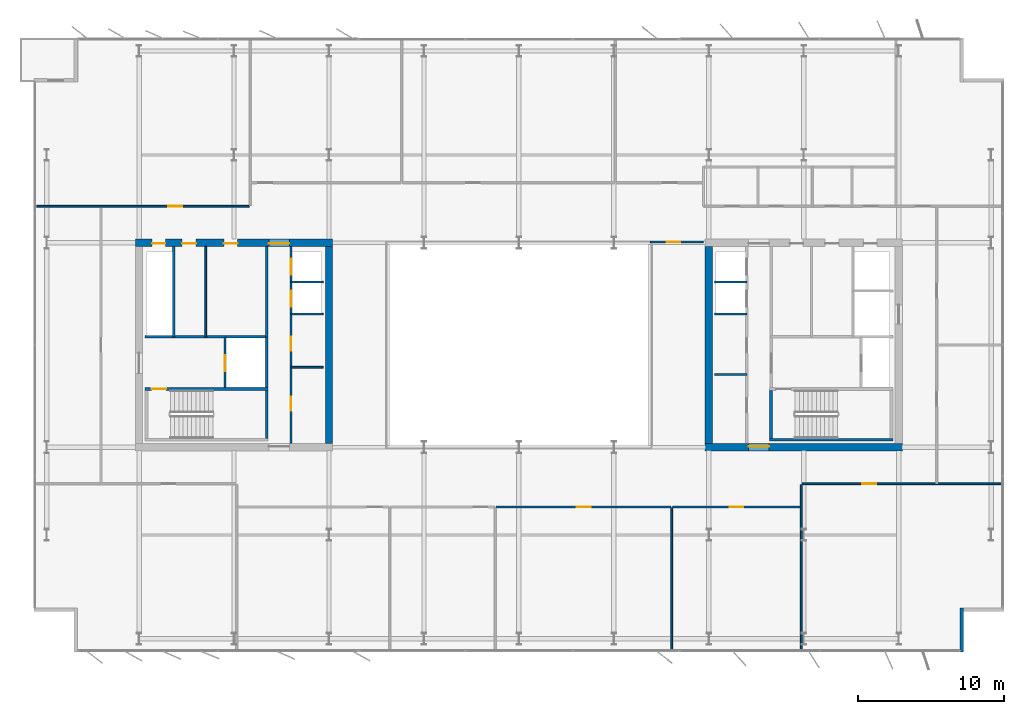
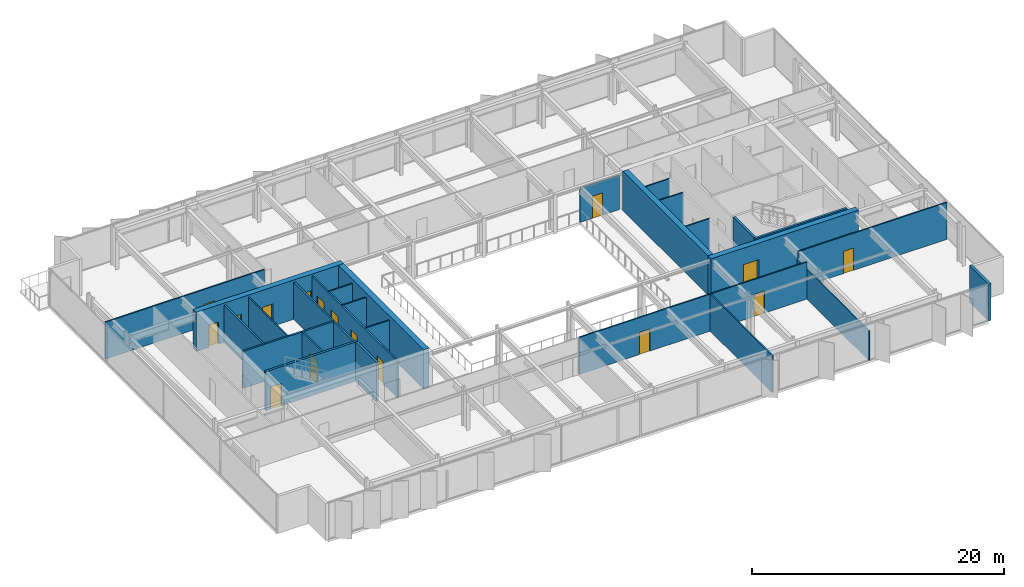
# One storey, part 17 of 23: 29 walls, 16 doors, 16 openings.
"""IFC4 building model written with IfcOpenShell, lengths in metres."""

import ifcopenshell
import ifcopenshell.guid

model = None  # the IFC model being written
_history = None  # IfcOwnerHistory: only IFC2X3 demands one
_inside = {}  # id of a spatial element -> (the spatial element, [elements in it])
_under = {}  # id of a project, library or spatial element -> (it, [spatial elements below it])
_declared = {}  # id of a project -> (the project, [libraries it declares])
_typed = {}  # id of a type object -> (the type object, [elements of that type])
_made_of = {}  # id of a material, layer set ... -> (it, [elements and type objects made of it])


def new_model(schema):
    """Start an empty IFC model of exactly this schema.

    Asked for "IFC4X3", IfcOpenShell would pick the latest addendum, in which some entities
    have other attributes; the version numbers below select the first issue.
    IFC2X3 requires an IfcOwnerHistory on every rooted entity: one is made here for all.
    """
    global model, _history
    if schema == "IFC4X3":
        model = ifcopenshell.file(schema_version=(4, 3, 0, 0))
    else:
        model = ifcopenshell.file(schema=schema)
    _inside.clear()
    _under.clear()
    _declared.clear()
    _typed.clear()
    _made_of.clear()
    _history = None
    if model.schema == "IFC2X3":
        org = make("IfcOrganization", Name="unknown")
        user = make(
            "IfcPersonAndOrganization",
            ThePerson=make("IfcPerson", FamilyName="unknown"),
            TheOrganization=org,
        )
        app = make(
            "IfcApplication",
            ApplicationDeveloper=org,
            Version="unknown",
            ApplicationFullName="unknown",
            ApplicationIdentifier="unknown",
        )
        _history = make(
            "IfcOwnerHistory",
            OwningUser=user,
            OwningApplication=app,
            ChangeAction="ADDED",
            CreationDate=0,
        )
    return model


def make(cls, **values):
    """One entity of the class cls with the attributes given. An attribute that is None is left unset."""
    return model.create_entity(
        cls, **{name: value for name, value in values.items() if value is not None}
    )


def rooted(cls, **values):
    """An entity with a GlobalId (a new one), such as an element, a storey or a relation."""
    return make(cls, GlobalId=ifcopenshell.guid.new(), OwnerHistory=_history, **values)


def si_unit(unit_type, name, prefix=None):
    """IfcSIUnit, for example si_unit("LENGTHUNIT", "METRE", prefix="MILLI")."""
    return make("IfcSIUnit", UnitType=unit_type, Prefix=prefix, Name=name)


def assignment(units):
    """IfcUnitAssignment: the units of a project."""
    return None if units is None else make("IfcUnitAssignment", Units=units)


def point(xyz):
    """IfcCartesianPoint."""
    return None if xyz is None else make("IfcCartesianPoint", Coordinates=xyz)


def direction(xyz):
    """IfcDirection."""
    return None if xyz is None else make("IfcDirection", DirectionRatios=xyz)


def frame(location, z_axis=None, x_axis=None):
    """IfcAxis2Placement3D, a coordinate frame: its origin and axes. An axis left out is left unset."""
    return make(
        "IfcAxis2Placement3D",
        Location=point(location),
        Axis=direction(z_axis),
        RefDirection=direction(x_axis),
    )


def frame_2d(location, x_axis=None):
    """IfcAxis2Placement2D, a coordinate frame in the plane: its origin and x axis."""
    return make(
        "IfcAxis2Placement2D", Location=point(location), RefDirection=direction(x_axis)
    )


def origin():
    """The frame at (0, 0, 0) with its axes left unset."""
    return frame((0.0, 0.0, 0.0))


def place(relative_to, where):
    """IfcLocalPlacement: puts the frame where relative to a parent placement (None: the world)."""
    return make(
        "IfcLocalPlacement", PlacementRelTo=relative_to, RelativePlacement=where
    )


def context(
    kind, dimensions, precision=None, world=None, true_north=None, identifier=None
):
    """IfcGeometricRepresentationContext, for example the 3D "Model" context."""
    return make(
        "IfcGeometricRepresentationContext",
        ContextIdentifier=identifier,
        ContextType=kind,
        CoordinateSpaceDimension=dimensions,
        Precision=precision,
        WorldCoordinateSystem=world,
        TrueNorth=true_north,
    )


def subcontext(parent, identifier, kind, view, scale=None):
    """IfcGeometricRepresentationSubContext, for example "Body" below "Model"."""
    return make(
        "IfcGeometricRepresentationSubContext",
        ContextIdentifier=identifier,
        ContextType=kind,
        ParentContext=parent,
        TargetScale=scale,
        TargetView=view,
    )


def project(units=None, contexts=None):
    """IfcProject with its units and contexts."""
    return rooted(
        "IfcProject",
        Name="project",
        RepresentationContexts=contexts,
        UnitsInContext=assignment(units),
    )


def spatial(cls, under=None, at=None, **own):
    """A site, building, storey or space (cls), placed at a placement, below another one or the project."""
    s = rooted(cls, ObjectPlacement=at, **own)
    if under is not None:
        _under.setdefault(under.id(), (under, []))[1].append(s)
    return s


def profile(cls, at=None, kind="AREA", **sizes):
    """A parametric profile (cls). Its sizes go by their IFC names, for example OverallWidth=200.0."""
    return make(cls, ProfileType=kind, Position=at, **sizes)


def rectangle(**sizes):
    """IfcRectangleProfileDef."""
    return profile("IfcRectangleProfileDef", **sizes)


def extrude(swept, where, along, depth):
    """IfcExtrudedAreaSolid: the profile swept, set in the frame where, extruded along a direction by depth."""
    return make(
        "IfcExtrudedAreaSolid",
        SweptArea=swept,
        Position=where,
        ExtrudedDirection=direction(along),
        Depth=depth,
    )


def shape(context_of_items, identifier, shape_type, items):
    """IfcShapeRepresentation: the items that make up one representation, for example the "Body"."""
    return make(
        "IfcShapeRepresentation",
        ContextOfItems=context_of_items,
        RepresentationIdentifier=identifier,
        RepresentationType=shape_type,
        Items=items,
    )


def material(Name=None, Category=None):
    """IfcMaterial."""
    return make("IfcMaterial", Name=Name, Category=Category)


def layer(
    of_material, thickness, ventilated=None, Name=None, Category=None, Priority=None
):
    """IfcMaterialLayer: one layer of a wall or slab, of a material (None: an air gap)."""
    return make(
        "IfcMaterialLayer",
        Material=of_material,
        LayerThickness=thickness,
        IsVentilated=ventilated,
        Name=Name,
        Category=Category,
        Priority=Priority,
    )


def layer_set(layers, Name=None):
    """IfcMaterialLayerSet."""
    return make("IfcMaterialLayerSet", MaterialLayers=layers, LayerSetName=Name)


def made_of(thing, what):
    """Note that an element or type object is made of a material, layer set ...; save() writes the relation."""
    if what is not None:
        _made_of.setdefault(what.id(), (what, []))[1].append(thing)
    return thing


def type_object(cls, material=None, **own):
    """A type object (cls), such as IfcWallType, which elements share."""
    return made_of(rooted(cls, **own), material)


def element(
    cls,
    number,
    at=None,
    inside=None,
    cuts=None,
    type_object=None,
    material=None,
    context=None,
    identifier="Body",
    shape_type=None,
    held_by="IfcProductDefinitionShape",
    body=None,
    shapes=None,
    **own,
):
    """One element of the class cls, such as IfcWall. Its Tag is "e" and its number.

    at: its placement. inside: the storey or other place that contains it. cuts: it is an
    opening in that element (IfcRelVoidsElement). A single representation is given by context,
    identifier, shape_type and body (its items); several are given by shapes. held_by: the class
    of the entity that holds the representations. save() writes the other relations.
    """
    e = rooted(cls, Tag="e%d" % number, ObjectPlacement=at, **own)
    if body is not None:
        shapes = [shape(context, identifier, shape_type, body)]
    if shapes is not None:
        e.Representation = make(held_by, Representations=shapes)
    if inside is not None:
        _inside.setdefault(inside.id(), (inside, []))[1].append(e)
    if cuts is not None:
        rooted(
            "IfcRelVoidsElement", RelatingBuildingElement=cuts, RelatedOpeningElement=e
        )
    if type_object is not None:
        _typed.setdefault(type_object.id(), (type_object, []))[1].append(e)
    return made_of(e, material)


def fill(opening, filler):
    """IfcRelFillsElement: the door or window that sits in an opening."""
    return rooted(
        "IfcRelFillsElement",
        RelatingOpeningElement=opening,
        RelatedBuildingElement=filler,
    )


def aggregate(whole, parts):
    """IfcRelAggregates: a whole, such as a stair, and the parts it consists of."""
    return rooted("IfcRelAggregates", RelatingObject=whole, RelatedObjects=parts)


def save(model, path):
    """Write the relations noted so far, then the file.

    IfcRelAggregates (storeys below a building ...), IfcRelContainedInSpatialStructure (elements
    in a storey), IfcRelDefinesByType, IfcRelAssociatesMaterial and IfcRelDeclares: one each for
    every whole, place, type object, material and project.
    """
    for whole, parts in _under.values():
        aggregate(whole, parts)
    for where, things in _inside.values():
        rooted(
            "IfcRelContainedInSpatialStructure",
            RelatedElements=things,
            RelatingStructure=where,
        )
    for kind, things in _typed.values():
        rooted("IfcRelDefinesByType", RelatedObjects=things, RelatingType=kind)
    for what, things in _made_of.values():
        rooted("IfcRelAssociatesMaterial", RelatedObjects=things, RelatingMaterial=what)
    for by, libraries in _declared.values():
        rooted("IfcRelDeclares", RelatingContext=by, RelatedDefinitions=libraries)
    model.write(path)


model = new_model("IFC4")

# Units and contexts
model_context = context("Model", 3, precision=1e-05, world=origin(), true_north=direction((0.0, 1.0)))
body_context = subcontext(model_context, "Body", "Model", "MODEL_VIEW")
ifc_project = project(units=[si_unit("LENGTHUNIT", "METRE"), si_unit("AREAUNIT", "SQUARE_METRE"), si_unit("VOLUMEUNIT", "CUBIC_METRE"), si_unit("PLANEANGLEUNIT", "RADIAN"), si_unit("MASSUNIT", "GRAM", prefix="KILO")], contexts=[model_context])

# Site, building, storey
site_placement = place(None, origin())
site = spatial("IfcSite", under=ifc_project, at=site_placement, CompositionType="ELEMENT")
building_placement = place(site_placement, origin())
building = spatial("IfcBuilding", under=site, at=building_placement, Name="Putna Gate Headquarters", CompositionType="ELEMENT")
storey_placement = place(building_placement, frame((0.0, 0.0, 210.0)))
storey = spatial("IfcBuildingStorey", under=building, at=storey_placement, Name="L52", CompositionType="ELEMENT", Elevation=210.0)

# Wall, openings, doors
ifc_material_1 = material(Name="Concrete C50/60", Category="concrete")
ifc_layer_1 = layer(ifc_material_1, 0.5)
ifc_layer_set_1 = layer_set([ifc_layer_1], Name="Concrete C50/60")
wall_type_1 = type_object("IfcWallType", Name="WALL-CORE-500", PredefinedType="SHEAR", material=ifc_layer_set_1)
wall_1_placement = place(storey_placement, frame((12.75, 33.0, 0.0), z_axis=(0.0, 0.0, 1.0), x_axis=(1.0, 0.0, 0.0)))
wall_1 = element("IfcWall", 1, at=wall_1_placement, inside=storey, type_object=wall_type_1, Name="L52 WC Split Core Shear Wall N", PredefinedType="SHEAR", context=body_context, shape_type="SweptSolid", body=[
    extrude(rectangle(XDim=13.5, YDim=0.5, at=frame_2d((6.75, 0.0))), origin(), (0.0, 0.0, 1.0), 3.800048828125),
])
opening_1_placement = place(wall_1_placement, frame((1.14990234375, 0.0, 0.0)))
opening_1 = element("IfcOpeningElement", 2, at=opening_1_placement, cuts=wall_1, Name="Opening RD-90", PredefinedType="OPENING", context=body_context, shape_type="SweptSolid", body=[
    extrude(rectangle(XDim=0.89990234375, YDim=2.14990234375, at=frame_2d((0.449951171875, 1.074951171875))), frame((0.0, 0.260009765625, 0.0), z_axis=(0.0, -1.0, 0.0), x_axis=(1.0, 0.0, 0.0)), (0.0, 0.0, 1.0), 0.52001953125),
])
opening_2_placement = place(wall_1_placement, frame((3.199951171875, 0.0, 0.0)))
opening_2 = element("IfcOpeningElement", 3, at=opening_2_placement, cuts=wall_1, Name="Opening IDS-95", PredefinedType="OPENING", context=body_context, shape_type="SweptSolid", body=[
    extrude(rectangle(XDim=0.949951171875, YDim=2.14990234375, at=frame_2d((0.47509765625, 1.074951171875))), frame((0.0, 0.260009765625, 0.0), z_axis=(0.0, -1.0, 0.0), x_axis=(1.0, 0.0, 0.0)), (0.0, 0.0, 1.0), 0.52001953125),
])
opening_3_placement = place(wall_1_placement, frame((6.050048828125, 0.0, 0.0)))
opening_3 = element("IfcOpeningElement", 4, at=opening_3_placement, cuts=wall_1, Name="Opening IDS-95", PredefinedType="OPENING", context=body_context, shape_type="SweptSolid", body=[
    extrude(rectangle(XDim=0.949951171875, YDim=2.14990234375, at=frame_2d((0.47509765625, 1.074951171875))), frame((0.0, 0.260009765625, 0.0), z_axis=(0.0, -1.0, 0.0), x_axis=(1.0, 0.0, 0.0)), (0.0, 0.0, 1.0), 0.52001953125),
])
opening_4_placement = place(wall_1_placement, frame((9.1298828125, 0.0, 0.0)))
opening_4 = element("IfcOpeningElement", 5, at=opening_4_placement, cuts=wall_1, Name="Opening FDD-140", PredefinedType="OPENING", context=body_context, shape_type="SweptSolid", body=[
    extrude(rectangle(XDim=1.39990234375, YDim=2.199951171875, at=frame_2d((0.699951171875, 1.10009765625))), frame((0.0, 0.260009765625, 0.0), z_axis=(0.0, -1.0, 0.0), x_axis=(1.0, 0.0, 0.0)), (0.0, 0.0, 1.0), 0.52001953125),
])
ifc_material_2 = material(Name="Double steel fire door", Category="steel")
door_type_1 = type_object("IfcDoorType", Name="DOOR-FIRE-DBL-1400", OperationType="DOUBLE_DOOR_SINGLE_SWING", PredefinedType="DOOR", material=ifc_material_2)
door_1_placement = place(opening_4_placement, origin())
door_1 = element("IfcDoor", 6, at=door_1_placement, inside=storey, type_object=door_type_1, Name="L52 West Lift Lobby North Door", OperationType="DOUBLE_DOOR_SINGLE_SWING", OverallHeight=2.199951171875, OverallWidth=1.39990234375, PredefinedType="DOOR", context=body_context, shape_type="SweptSolid", body=[
    extrude(rectangle(XDim=1.39990234375, YDim=2.199951171875, at=frame_2d((0.699951171875, 1.10009765625))), frame((0.0, -0.02490234375, 0.0), z_axis=(0.0, -1.0, 0.0), x_axis=(1.0, 0.0, 0.0)), (0.0, 0.0, 1.0), 0.050048828125),
])
fill(opening_4, door_1)
ifc_material_3 = material(Name="Fire-rated service timber door", Category="wood")
door_type_2 = type_object("IfcDoorType", Name="DOOR-INT-950", OperationType="NOTDEFINED", PredefinedType="DOOR", material=ifc_material_3)
door_2_placement = place(opening_2_placement, origin())
door_2 = element("IfcDoor", 7, at=door_2_placement, inside=storey, type_object=door_type_2, Name="L52 Archive Store Door", OperationType="SINGLE_SWING_LEFT", OverallHeight=2.14990234375, OverallWidth=0.949951171875, PredefinedType="DOOR", context=body_context, shape_type="SweptSolid", body=[
    extrude(rectangle(XDim=0.949951171875, YDim=2.14990234375, at=frame_2d((0.47509765625, 1.074951171875))), frame((0.0, -0.02490234375, 0.0), z_axis=(0.0, -1.0, 0.0), x_axis=(1.0, 0.0, 0.0)), (0.0, 0.0, 1.0), 0.050048828125),
])
fill(opening_2, door_2)
door_3_placement = place(opening_3_placement, origin())
door_3 = element("IfcDoor", 8, at=door_3_placement, inside=storey, type_object=door_type_2, Name="L52 Switchgear Plant Door", OperationType="SINGLE_SWING_RIGHT", OverallHeight=2.14990234375, OverallWidth=0.949951171875, PredefinedType="DOOR", context=body_context, shape_type="SweptSolid", body=[
    extrude(rectangle(XDim=0.949951171875, YDim=2.14990234375, at=frame_2d((0.47509765625, 1.074951171875))), frame((0.0, -0.02490234375, 0.0), z_axis=(0.0, -1.0, 0.0), x_axis=(1.0, 0.0, 0.0)), (0.0, 0.0, 1.0), 0.050048828125),
])
fill(opening_3, door_3)
ifc_material_4 = material(Name="Steel riser access fire door", Category="steel")
door_type_3 = type_object("IfcDoorType", Name="DOOR-RISER-900", OperationType="NOTDEFINED", PredefinedType="DOOR", material=ifc_material_4)
door_4_placement = place(opening_1_placement, origin())
door_4 = element("IfcDoor", 9, at=door_4_placement, inside=storey, type_object=door_type_3, Name="L52 West Riser Access Door", OperationType="SINGLE_SWING_RIGHT", OverallHeight=2.14990234375, OverallWidth=0.89990234375, PredefinedType="DOOR", context=body_context, shape_type="SweptSolid", body=[
    extrude(rectangle(XDim=0.89990234375, YDim=2.14990234375, at=frame_2d((0.449951171875, 1.074951171875))), frame((0.0, -0.02490234375, 0.0), z_axis=(0.0, -1.0, 0.0), x_axis=(1.0, 0.0, 0.0)), (0.0, 0.0, 1.0), 0.050048828125),
])
fill(opening_1, door_4)

# Wall
wall_2_placement = place(storey_placement, frame((26.0, 19.25, 0.0), z_axis=(0.0, 0.0, 1.0), x_axis=(0.0, 1.0, 0.0)))
element("IfcWall", 10, at=wall_2_placement, inside=storey, type_object=wall_type_1, Name="L52 WC Split Core Shear Wall E", PredefinedType="SHEAR", context=body_context, shape_type="SweptSolid", body=[
    extrude(rectangle(XDim=13.5, YDim=0.5, at=frame_2d((6.75, 0.0))), origin(), (0.0, 0.0, 1.0), 3.800048828125),
])

# Wall, opening, door
wall_3_placement = place(storey_placement, frame((51.75, 19.0, 0.0), z_axis=(0.0, 0.0, 1.0), x_axis=(1.0, 0.0, 0.0)))
wall_3 = element("IfcWall", 11, at=wall_3_placement, inside=storey, type_object=wall_type_1, Name="L52 EC Split Core Shear Wall S", PredefinedType="SHEAR", context=body_context, shape_type="SweptSolid", body=[
    extrude(rectangle(XDim=13.5, YDim=0.5, at=frame_2d((6.75, 0.0))), origin(), (0.0, 0.0, 1.0), 3.800048828125),
])
opening_5_placement = place(wall_3_placement, frame((2.969970703125, 0.0, 0.0)))
opening_5 = element("IfcOpeningElement", 12, at=opening_5_placement, cuts=wall_3, Name="Opening FDD-140", PredefinedType="OPENING", context=body_context, shape_type="SweptSolid", body=[
    extrude(rectangle(XDim=1.39990234375, YDim=2.199951171875, at=frame_2d((0.699951171875, 1.10009765625))), frame((0.0, 0.260009765625, 0.0), z_axis=(0.0, -1.0, 0.0), x_axis=(1.0, 0.0, 0.0)), (0.0, 0.0, 1.0), 0.52001953125),
])
door_5_placement = place(opening_5_placement, origin())
door_5 = element("IfcDoor", 13, at=door_5_placement, inside=storey, type_object=door_type_1, Name="L52 East Lift Lobby South Door", OperationType="DOUBLE_DOOR_SINGLE_SWING", OverallHeight=2.199951171875, OverallWidth=1.39990234375, PredefinedType="DOOR", context=body_context, shape_type="SweptSolid", body=[
    extrude(rectangle(XDim=1.39990234375, YDim=2.199951171875, at=frame_2d((0.699951171875, 1.10009765625))), frame((0.0, 0.0751953125, 0.0), z_axis=(0.0, -1.0, 0.0), x_axis=(1.0, 0.0, 0.0)), (0.0, 0.0, 1.0), 0.050048828125),
])
fill(opening_5, door_5)

# Walls
wall_4_placement = place(storey_placement, frame((52.0, 19.25, 0.0), z_axis=(0.0, 0.0, 1.0), x_axis=(0.0, 1.0, 0.0)))
element("IfcWall", 14, at=wall_4_placement, inside=storey, type_object=wall_type_1, Name="L52 EC Split Core Shear Wall W", PredefinedType="SHEAR", context=body_context, shape_type="SweptSolid", body=[
    extrude(rectangle(XDim=13.5, YDim=0.5, at=frame_2d((6.75, 0.0))), origin(), (0.0, 0.0, 1.0), 3.800048828125),
])
ifc_material_5 = material(Name="Precast concrete C40/50", Category="concrete")
ifc_layer_2 = layer(ifc_material_5, 0.239990234375)
ifc_layer_set_2 = layer_set([ifc_layer_2], Name="Precast concrete C40/50")
wall_type_2 = type_object("IfcWallType", Name="WALL-EXT-TERR-240", PredefinedType="STANDARD", material=ifc_layer_set_2)
wall_5_placement = place(storey_placement, frame((69.320068359375, 8.0, 0.0), z_axis=(0.0, 0.0, 1.0), x_axis=(0.0, -1.0, 0.0)))
element("IfcWall", 15, at=wall_5_placement, inside=storey, type_object=wall_type_2, Name="L52 Corner Notch Return Wall SE-V", PredefinedType="STANDARD", context=body_context, shape_type="SweptSolid", body=[
    extrude(rectangle(XDim=3.0, YDim=0.239990234375, at=frame_2d((1.5, 0.0))), origin(), (0.0, 0.0, 1.0), 3.580078125),
])

# Wall, opening, door
ifc_material_6 = material(Name="Acoustic gypsum board on metal stud")
ifc_layer_3 = layer(ifc_material_6, 0.1201171875)
ifc_layer_set_3 = layer_set([ifc_layer_3], Name="Acoustic gypsum board on metal stud")
wall_type_3 = type_object("IfcWallType", Name="WALL-PART-120", PredefinedType="PARTITIONING", material=ifc_layer_set_3)
wall_6_placement = place(storey_placement, frame((48.0, 33.0400390625, 0.0), z_axis=(0.0, 0.0, 1.0), x_axis=(1.0, 0.0, 0.0)))
wall_6 = element("IfcWall", 16, at=wall_6_placement, inside=storey, type_object=wall_type_3, Name="L52 Interior Wall PART-L52-ATR-E-N", PredefinedType="PARTITIONING", context=body_context, shape_type="SweptSolid", body=[
    extrude(rectangle(XDim=3.60009765625, YDim=0.1201171875, at=frame_2d((1.800048828125, 0.0))), origin(), (0.0, 0.0, 1.0), 3.320068359375),
])
opening_6_placement = place(wall_6_placement, frame((1.10009765625, 0.0, 0.0)))
opening_6 = element("IfcOpeningElement", 17, at=opening_6_placement, cuts=wall_6, Name="Opening ID-95", PredefinedType="OPENING", context=body_context, shape_type="SweptSolid", body=[
    extrude(rectangle(XDim=0.949951171875, YDim=2.14990234375, at=frame_2d((0.47509765625, 1.074951171875))), frame((0.0, 0.070068359375, 0.0), z_axis=(0.0, -1.0, 0.0), x_axis=(1.0, 0.0, 0.0)), (0.0, 0.0, 1.0), 0.14013671875),
])
ifc_material_7 = material(Name="Veneered acoustic timber door", Category="wood")
door_type_4 = type_object("IfcDoorType", Name="DOOR-OFF-950", OperationType="NOTDEFINED", PredefinedType="DOOR", material=ifc_material_7)
door_6_placement = place(opening_6_placement, origin())
door_6 = element("IfcDoor", 18, at=door_6_placement, inside=storey, type_object=door_type_4, Name="L52 East Sky Atrium Lounge Door", OperationType="SINGLE_SWING_LEFT", OverallHeight=2.14990234375, OverallWidth=0.949951171875, PredefinedType="DOOR", context=body_context, shape_type="SweptSolid", body=[
    extrude(rectangle(XDim=0.949951171875, YDim=2.14990234375, at=frame_2d((0.47509765625, 1.074951171875))), frame((0.0, 0.02490234375, 0.0), z_axis=(0.0, -1.0, 0.0), x_axis=(1.0, 0.0, 0.0)), (0.0, 0.0, 1.0), 0.050048828125),
])
fill(opening_6, door_6)

# Walls
wall_7_placement = place(storey_placement, frame((49.46728515625, 5.02001953125, 0.0), z_axis=(0.0, 0.0, 1.0), x_axis=(0.0, 1.0, 0.0)))
element("IfcWall", 19, at=wall_7_placement, inside=storey, type_object=wall_type_3, Name="L52 Interior Wall PART-L52-SB-DIV-04", PredefinedType="PARTITIONING", context=body_context, shape_type="SweptSolid", body=[
    extrude(rectangle(XDim=9.820068359375, YDim=0.1201171875, at=frame_2d((4.91015625, 0.0))), origin(), (0.0, 0.0, 1.0), 3.580078125),
])
wall_8_placement = place(storey_placement, frame((58.316650390625, 5.02001953125, 0.0), z_axis=(0.0, 0.0, 1.0), x_axis=(0.0, 1.0, 0.0)))
element("IfcWall", 20, at=wall_8_placement, inside=storey, type_object=wall_type_3, Name="L52 Interior Wall PART-L52-SB-DIV-05", PredefinedType="PARTITIONING", context=body_context, shape_type="SweptSolid", body=[
    extrude(rectangle(XDim=11.419921875, YDim=0.1201171875, at=frame_2d((5.7099609375, 0.0))), origin(), (0.0, 0.0, 1.0), 2.8798828125),
])
ifc_material_8 = material(Name="Fire-rated shaftwall gypsum board on metal stud")
ifc_layer_4 = layer(ifc_material_8, 0.1201171875)
ifc_layer_set_4 = layer_set([ifc_layer_4], Name="Fire-rated shaftwall gypsum board on metal stud")
wall_type_4 = type_object("IfcWallType", Name="WALL-PART-120-EI120", PredefinedType="PARTITIONING", material=ifc_layer_set_4)
for number, where, z_axis, x_axis, name in (
    (21, (23.39990234375, 30.31005859375, 0.0), (0.0, 0.0, 1.0), (1.0, 0.0, 0.0), "L52 Interior Wall CWINT-L52-WC-LF09-DIV"),
    (22, (52.39990234375, 30.31005859375, 0.0), (0.0, 0.0, 1.0), (1.0, 0.0, 0.0), "L52 Interior Wall CWINT-L52-EC-LF11-DIV"),
):
    element("IfcWall", number, at=place(storey_placement, frame(where, z_axis=z_axis, x_axis=x_axis)), inside=storey, type_object=wall_type_4, Name=name, PredefinedType="PARTITIONING", context=body_context, shape_type="SweptSolid", body=[
        extrude(rectangle(XDim=2.2001953125, YDim=0.1201171875, at=frame_2d((1.10009765625, 0.0))), origin(), (0.0, 0.0, 1.0), 3.580078125),
    ])
ifc_material_9 = material(Name="Fire-rated gypsum board on metal stud")
ifc_layer_5 = layer(ifc_material_9, 0.1201171875)
ifc_layer_set_5 = layer_set([ifc_layer_5], Name="Fire-rated gypsum board on metal stud")
wall_type_5 = type_object("IfcWallType", Name="WALL-PART-120-RATED", PredefinedType="PARTITIONING", material=ifc_layer_set_5)
wall_9_placement = place(storey_placement, frame((17.570068359375, 26.56005859375, 0.0), z_axis=(0.0, 0.0, 1.0), x_axis=(0.0, 1.0, 0.0)))
element("IfcWall", 23, at=wall_9_placement, inside=storey, type_object=wall_type_5, Name="L52 Interior Wall CWINT-L52-WC-K1-DIV", PredefinedType="PARTITIONING", context=body_context, shape_type="SweptSolid", body=[
    extrude(rectangle(XDim=6.18994140625, YDim=0.1201171875, at=frame_2d((3.094970703125, 0.0))), origin(), (0.0, 0.0, 1.0), 3.580078125),
])
for number, where, z_axis, x_axis, name in (
    (24, (23.39990234375, 24.469970703125, 0.0), (0.0, 0.0, 1.0), (1.0, 0.0, 0.0), "L52 Interior Wall CWINT-L52-WC-REUSE-DIV"),
    (25, (23.39990234375, 28.1201171875, 0.0), (0.0, 0.0, 1.0), (1.0, 0.0, 0.0), "L52 Interior Wall CWINT-L52-WC-LF06-DIV"),
    (26, (52.39990234375, 23.969970703125, 0.0), (0.0, 0.0, 1.0), (1.0, 0.0, 0.0), "L52 Interior Wall CWINT-L52-EC-REUSE-DIV"),
    (27, (52.39990234375, 28.1201171875, 0.0), (0.0, 0.0, 1.0), (1.0, 0.0, 0.0), "L52 Interior Wall CWINT-L52-EC-LF08-DIV"),
):
    element("IfcWall", number, at=place(storey_placement, frame(where, z_axis=z_axis, x_axis=x_axis)), inside=storey, type_object=wall_type_5, Name=name, PredefinedType="PARTITIONING", context=body_context, shape_type="SweptSolid", body=[
        extrude(rectangle(XDim=2.2001953125, YDim=0.1201171875, at=frame_2d((1.10009765625, 0.0))), origin(), (0.0, 0.0, 1.0), 3.580078125),
    ])

# Wall, opening, door
wall_10_placement = place(storey_placement, frame((5.97998046875, 35.5, 0.0), z_axis=(0.0, 0.0, 1.0), x_axis=(1.0, 0.0, 0.0)))
wall_10 = element("IfcWall", 28, at=wall_10_placement, inside=storey, type_object=wall_type_5, Name="L52 Interior Wall PART-L52-NB-CW-01", PredefinedType="PARTITIONING", context=body_context, shape_type="SweptSolid", body=[
    extrude(rectangle(XDim=14.56884765625, YDim=0.1201171875, at=frame_2d((7.284423828125, 0.0))), origin(), (0.0, 0.0, 1.0), 3.580078125),
])
opening_7_placement = place(wall_10_placement, frame((9.01953125, 0.0, 0.0)))
opening_7 = element("IfcOpeningElement", 29, at=opening_7_placement, cuts=wall_10, Name="Opening FD-95", PredefinedType="OPENING", context=body_context, shape_type="SweptSolid", body=[
    extrude(rectangle(XDim=0.949951171875, YDim=2.14990234375, at=frame_2d((0.47509765625, 1.074951171875))), frame((0.0, 0.070068359375, 0.0), z_axis=(0.0, -1.0, 0.0), x_axis=(1.0, 0.0, 0.0)), (0.0, 0.0, 1.0), 0.14013671875),
])
ifc_material_10 = material(Name="Acoustic timber fire door", Category="wood")
door_type_5 = type_object("IfcDoorType", Name="DOOR-FIRE-950", OperationType="NOTDEFINED", PredefinedType="DOOR", material=ifc_material_10)
door_7_placement = place(opening_7_placement, origin())
door_7 = element("IfcDoor", 30, at=door_7_placement, inside=storey, type_object=door_type_5, Name="L52 Conference Meeting Room 1 Door", OperationType="SINGLE_SWING_RIGHT", OverallHeight=2.14990234375, OverallWidth=0.949951171875, PredefinedType="DOOR", context=body_context, shape_type="SweptSolid", body=[
    extrude(rectangle(XDim=0.949951171875, YDim=2.14990234375, at=frame_2d((0.47509765625, 1.074951171875))), frame((0.0, 0.02490234375, 0.0), z_axis=(0.0, -1.0, 0.0), x_axis=(1.0, 0.0, 0.0)), (0.0, 0.0, 1.0), 0.050048828125),
])
fill(opening_7, door_7)

wall_11_placement = place(storey_placement, frame((37.44189453125, 14.89990234375, 0.0), z_axis=(0.0, 0.0, 1.0), x_axis=(1.0, 0.0, 0.0)))
wall_11 = element("IfcWall", 31, at=wall_11_placement, inside=storey, type_object=wall_type_5, Name="L52 Interior Wall PART-L52-SB-CW-04", PredefinedType="PARTITIONING", context=body_context, shape_type="SweptSolid", body=[
    extrude(rectangle(XDim=11.96533203125, YDim=0.1201171875, at=frame_2d((5.982666015625, 0.0))), origin(), (0.0, 0.0, 1.0), 3.580078125),
])
opening_8_placement = place(wall_11_placement, frame((5.507568359375, 0.0, 0.0)))
opening_8 = element("IfcOpeningElement", 32, at=opening_8_placement, cuts=wall_11, Name="Opening FD-95", PredefinedType="OPENING", context=body_context, shape_type="SweptSolid", body=[
    extrude(rectangle(XDim=0.949951171875, YDim=2.14990234375, at=frame_2d((0.47509765625, 1.074951171875))), frame((0.0, 0.070068359375, 0.0), z_axis=(0.0, -1.0, 0.0), x_axis=(1.0, 0.0, 0.0)), (0.0, 0.0, 1.0), 0.14013671875),
])
door_8_placement = place(opening_8_placement, origin())
door_8 = element("IfcDoor", 33, at=door_8_placement, inside=storey, type_object=door_type_5, Name="L52 Cellular Office 4 Door", OperationType="SINGLE_SWING_RIGHT", OverallHeight=2.14990234375, OverallWidth=0.949951171875, PredefinedType="DOOR", context=body_context, shape_type="SweptSolid", body=[
    extrude(rectangle(XDim=0.949951171875, YDim=2.14990234375, at=frame_2d((0.47509765625, 1.074951171875))), frame((0.0, 0.02490234375, 0.0), z_axis=(0.0, -1.0, 0.0), x_axis=(1.0, 0.0, 0.0)), (0.0, 0.0, 1.0), 0.050048828125),
])
fill(opening_8, door_8)

wall_12_placement = place(storey_placement, frame((49.52734375, 14.89990234375, 0.0), z_axis=(0.0, 0.0, 1.0), x_axis=(1.0, 0.0, 0.0)))
wall_12 = element("IfcWall", 34, at=wall_12_placement, inside=storey, type_object=wall_type_5, Name="L52 Interior Wall PART-L52-SB-CW-05", PredefinedType="PARTITIONING", context=body_context, shape_type="SweptSolid", body=[
    extrude(rectangle(XDim=8.729248046875, YDim=0.1201171875, at=frame_2d((4.36474609375, 0.0))), origin(), (0.0, 0.0, 1.0), 3.580078125),
])
opening_9_placement = place(wall_12_placement, frame((3.8896484375, 0.0, 0.0)))
opening_9 = element("IfcOpeningElement", 35, at=opening_9_placement, cuts=wall_12, Name="Opening FD-95", PredefinedType="OPENING", context=body_context, shape_type="SweptSolid", body=[
    extrude(rectangle(XDim=0.949951171875, YDim=2.14990234375, at=frame_2d((0.47509765625, 1.074951171875))), frame((0.0, 0.070068359375, 0.0), z_axis=(0.0, -1.0, 0.0), x_axis=(1.0, 0.0, 0.0)), (0.0, 0.0, 1.0), 0.14013671875),
])
door_9_placement = place(opening_9_placement, origin())
door_9 = element("IfcDoor", 36, at=door_9_placement, inside=storey, type_object=door_type_5, Name="L52 Cellular Office 5 Door", OperationType="SINGLE_SWING_LEFT", OverallHeight=2.14990234375, OverallWidth=0.949951171875, PredefinedType="DOOR", context=body_context, shape_type="SweptSolid", body=[
    extrude(rectangle(XDim=0.949951171875, YDim=2.14990234375, at=frame_2d((0.47509765625, 1.074951171875))), frame((0.0, 0.02490234375, 0.0), z_axis=(0.0, -1.0, 0.0), x_axis=(1.0, 0.0, 0.0)), (0.0, 0.0, 1.0), 0.050048828125),
])
fill(opening_9, door_9)

wall_13_placement = place(storey_placement, frame((58.376708984375, 16.5, 0.0), z_axis=(0.0, 0.0, 1.0), x_axis=(1.0, 0.0, 0.0)))
wall_13 = element("IfcWall", 37, at=wall_13_placement, inside=storey, type_object=wall_type_5, Name="L52 Interior Wall PART-L52-SB-CW-06", PredefinedType="PARTITIONING", context=body_context, shape_type="SweptSolid", body=[
    extrude(rectangle(XDim=13.643310546875, YDim=0.1201171875, at=frame_2d((6.82177734375, 0.0))), origin(), (0.0, 0.0, 1.0), 3.580078125),
])
opening_10_placement = place(wall_13_placement, frame((4.13671875, 0.0, 0.0)))
opening_10 = element("IfcOpeningElement", 38, at=opening_10_placement, cuts=wall_13, Name="Opening FD-95", PredefinedType="OPENING", context=body_context, shape_type="SweptSolid", body=[
    extrude(rectangle(XDim=0.949951171875, YDim=2.14990234375, at=frame_2d((0.47509765625, 1.074951171875))), frame((0.0, 0.070068359375, 0.0), z_axis=(0.0, -1.0, 0.0), x_axis=(1.0, 0.0, 0.0)), (0.0, 0.0, 1.0), 0.14013671875),
])
door_10_placement = place(opening_10_placement, origin())
door_10 = element("IfcDoor", 39, at=door_10_placement, inside=storey, type_object=door_type_5, Name="L52 Quiet Wellness Focus Studio 1 Door", OperationType="SINGLE_SWING_RIGHT", OverallHeight=2.14990234375, OverallWidth=0.949951171875, PredefinedType="DOOR", context=body_context, shape_type="SweptSolid", body=[
    extrude(rectangle(XDim=0.949951171875, YDim=2.14990234375, at=frame_2d((0.47509765625, 1.074951171875))), frame((0.0, 0.02490234375, 0.0), z_axis=(0.0, -1.0, 0.0), x_axis=(1.0, 0.0, 0.0)), (0.0, 0.0, 1.0), 0.050048828125),
])
fill(opening_10, door_10)

# Wall
ifc_material_11 = material(Name="Concrete C40/50", Category="concrete")
ifc_layer_6 = layer(ifc_material_11, 0.159912109375)
ifc_layer_set_6 = layer_set([ifc_layer_6], Name="Concrete C40/50")
wall_type_6 = type_object("IfcWallType", Name="WALL-SHAFT-160", PredefinedType="STANDARD", material=ifc_layer_set_6)
wall_14_placement = place(storey_placement, frame((21.739990234375, 23.090087890625, 0.0), z_axis=(0.0, 0.0, 1.0), x_axis=(0.0, 1.0, 0.0)))
element("IfcWall", 40, at=wall_14_placement, inside=storey, type_object=wall_type_6, Name="L52 Interior Wall CWINT-L52-WC-FFL-E", PredefinedType="STANDARD", context=body_context, shape_type="SweptSolid", body=[
    extrude(rectangle(XDim=3.469970703125, YDim=0.159912109375, at=frame_2d((1.73486328125, 0.0))), origin(), (0.0, 0.0, 1.0), 3.580078125),
])

# Wall, opening, door
wall_15_placement = place(storey_placement, frame((18.8798828125, 23.090087890625, 0.0), z_axis=(0.0, 0.0, 1.0), x_axis=(0.0, 1.0, 0.0)))
wall_15 = element("IfcWall", 41, at=wall_15_placement, inside=storey, type_object=wall_type_6, Name="L52 Interior Wall CWINT-L52-WC-LF13-W", PredefinedType="STANDARD", context=body_context, shape_type="SweptSolid", body=[
    extrude(rectangle(XDim=3.469970703125, YDim=0.159912109375, at=frame_2d((1.73486328125, 0.0))), origin(), (0.0, 0.0, 1.0), 3.580078125),
])
opening_11_placement = place(wall_15_placement, frame((1.10009765625, 0.0, 0.0)))
opening_11 = element("IfcOpeningElement", 42, at=opening_11_placement, cuts=wall_15, Name="Opening LD-1", PredefinedType="OPENING", context=body_context, shape_type="SweptSolid", body=[
    extrude(rectangle(XDim=1.10009765625, YDim=2.199951171875, at=frame_2d((0.550048828125, 1.10009765625))), frame((0.0, 0.08984375, 0.0), z_axis=(0.0, -1.0, 0.0), x_axis=(1.0, 0.0, 0.0)), (0.0, 0.0, 1.0), 0.179931640625),
])
ifc_material_12 = material(Name="Brushed bronze stainless lift landing door")
door_type_6 = type_object("IfcDoorType", Name="DOOR-LIFT-1100", OperationType="DOUBLE_DOOR_SLIDING", PredefinedType="DOOR", material=ifc_material_12)
door_11_placement = place(opening_11_placement, origin())
door_11 = element("IfcDoor", 43, at=door_11_placement, inside=storey, type_object=door_type_6, Name="L52 Lift Landing Door LD-13", OperationType="DOUBLE_DOOR_SLIDING", OverallHeight=2.199951171875, OverallWidth=1.10009765625, PredefinedType="DOOR", context=body_context, shape_type="SweptSolid", body=[
    extrude(rectangle(XDim=1.10009765625, YDim=2.199951171875, at=frame_2d((0.550048828125, 1.10009765625))), frame((0.0, 0.02490234375, 0.0), z_axis=(0.0, -1.0, 0.0), x_axis=(1.0, 0.0, 0.0)), (0.0, 0.0, 1.0), 0.050048828125),
])
fill(opening_11, door_11)

# Walls
wall_16_placement = place(storey_placement, frame((13.39990234375, 26.56005859375, 0.0), z_axis=(0.0, 0.0, 1.0), x_axis=(1.0, 0.0, 0.0)))
element("IfcWall", 44, at=wall_16_placement, inside=storey, type_object=wall_type_6, Name="L52 Interior Wall CWINT-L52-WC-FFL-N", PredefinedType="STANDARD", context=body_context, shape_type="SweptSolid", body=[
    extrude(rectangle(XDim=8.340087890625, YDim=0.159912109375, at=frame_2d((4.169921875, 0.0))), origin(), (0.0, 0.0, 1.0), 3.580078125),
])
for number, where, z_axis, x_axis, name in (
    (45, (15.3798828125, 26.56005859375, 0.0), (0.0, 0.0, 1.0), (0.0, 1.0, 0.0), "L52 Interior Wall CWINT-L52-WC-RISER-E"),
    (46, (21.739990234375, 26.56005859375, 0.0), (0.0, 0.0, 1.0), (0.0, 1.0, 0.0), "L52 Interior Wall CWINT-L52-WC-LOB-W"),
):
    element("IfcWall", number, at=place(storey_placement, frame(where, z_axis=z_axis, x_axis=x_axis)), inside=storey, type_object=wall_type_6, Name=name, PredefinedType="STANDARD", context=body_context, shape_type="SweptSolid", body=[
        extrude(rectangle(XDim=6.18994140625, YDim=0.159912109375, at=frame_2d((3.094970703125, 0.0))), origin(), (0.0, 0.0, 1.0), 3.580078125),
    ])

# Wall, openings, doors
wall_17_placement = place(storey_placement, frame((23.39990234375, 19.25, 0.0), z_axis=(0.0, 0.0, 1.0), x_axis=(0.0, 1.0, 0.0)))
wall_17 = element("IfcWall", 47, at=wall_17_placement, inside=storey, type_object=wall_type_6, Name="L52 Interior Wall CWINT-L52-WC-PL-WALL", PredefinedType="STANDARD", context=body_context, shape_type="SweptSolid", body=[
    extrude(rectangle(XDim=13.5, YDim=0.159912109375, at=frame_2d((6.75, 0.0))), origin(), (0.0, 0.0, 1.0), 3.580078125),
])
opening_12_placement = place(wall_17_placement, frame((2.25, 0.0, 0.0)))
opening_12 = element("IfcOpeningElement", 48, at=opening_12_placement, cuts=wall_17, Name="Opening IDS-95", PredefinedType="OPENING", context=body_context, shape_type="SweptSolid", body=[
    extrude(rectangle(XDim=0.949951171875, YDim=2.14990234375, at=frame_2d((0.47509765625, 1.074951171875))), frame((0.0, 0.08984375, 0.0), z_axis=(0.0, -1.0, 0.0), x_axis=(1.0, 0.0, 0.0)), (0.0, 0.0, 1.0), 0.179931640625),
])
opening_13_placement = place(wall_17_placement, frame((6.35009765625, 0.0, 0.0)))
opening_13 = element("IfcOpeningElement", 49, at=opening_13_placement, cuts=wall_17, Name="Opening IDS-95", PredefinedType="OPENING", context=body_context, shape_type="SweptSolid", body=[
    extrude(rectangle(XDim=0.949951171875, YDim=2.14990234375, at=frame_2d((0.47509765625, 1.074951171875))), frame((0.0, 0.08984375, 0.0), z_axis=(0.0, -1.0, 0.0), x_axis=(1.0, 0.0, 0.0)), (0.0, 0.0, 1.0), 0.179931640625),
])
opening_14_placement = place(wall_17_placement, frame((9.35009765625, 0.0, 0.0)))
opening_14 = element("IfcOpeningElement", 50, at=opening_14_placement, cuts=wall_17, Name="Opening LD-1", PredefinedType="OPENING", context=body_context, shape_type="SweptSolid", body=[
    extrude(rectangle(XDim=1.10009765625, YDim=2.199951171875, at=frame_2d((0.550048828125, 1.10009765625))), frame((0.0, 0.08984375, 0.0), z_axis=(0.0, -1.0, 0.0), x_axis=(1.0, 0.0, 0.0)), (0.0, 0.0, 1.0), 0.179931640625),
])
opening_15_placement = place(wall_17_placement, frame((11.550048828125, 0.0, 0.0)))
opening_15 = element("IfcOpeningElement", 51, at=opening_15_placement, cuts=wall_17, Name="Opening LD-1", PredefinedType="OPENING", context=body_context, shape_type="SweptSolid", body=[
    extrude(rectangle(XDim=1.10009765625, YDim=2.199951171875, at=frame_2d((0.550048828125, 1.10009765625))), frame((0.0, 0.08984375, 0.0), z_axis=(0.0, -1.0, 0.0), x_axis=(1.0, 0.0, 0.0)), (0.0, 0.0, 1.0), 0.179931640625),
])
door_12_placement = place(opening_12_placement, origin())
door_12 = element("IfcDoor", 52, at=door_12_placement, inside=storey, type_object=door_type_2, Name="L52 Tenant IT Hub Door", OperationType="SINGLE_SWING_LEFT", OverallHeight=2.14990234375, OverallWidth=0.949951171875, PredefinedType="DOOR", context=body_context, shape_type="SweptSolid", body=[
    extrude(rectangle(XDim=0.949951171875, YDim=2.14990234375, at=frame_2d((0.47509765625, 1.074951171875))), frame((0.0, 0.02490234375, 0.0), z_axis=(0.0, -1.0, 0.0), x_axis=(1.0, 0.0, 0.0)), (0.0, 0.0, 1.0), 0.050048828125),
])
fill(opening_12, door_12)
door_13_placement = place(opening_13_placement, origin())
door_13 = element("IfcDoor", 53, at=door_13_placement, inside=storey, type_object=door_type_2, Name="L52 Records Vault Door", OperationType="SINGLE_SWING_RIGHT", OverallHeight=2.14990234375, OverallWidth=0.949951171875, PredefinedType="DOOR", context=body_context, shape_type="SweptSolid", body=[
    extrude(rectangle(XDim=0.949951171875, YDim=2.14990234375, at=frame_2d((0.47509765625, 1.074951171875))), frame((0.0, 0.02490234375, 0.0), z_axis=(0.0, -1.0, 0.0), x_axis=(1.0, 0.0, 0.0)), (0.0, 0.0, 1.0), 0.050048828125),
])
fill(opening_13, door_13)
door_14_placement = place(opening_14_placement, origin())
door_14 = element("IfcDoor", 54, at=door_14_placement, inside=storey, type_object=door_type_6, Name="L52 Lift Landing Door LD-09", OperationType="DOUBLE_DOOR_SLIDING", OverallHeight=2.199951171875, OverallWidth=1.10009765625, PredefinedType="DOOR", context=body_context, shape_type="SweptSolid", body=[
    extrude(rectangle(XDim=1.10009765625, YDim=2.199951171875, at=frame_2d((0.550048828125, 1.10009765625))), frame((0.0, 0.02490234375, 0.0), z_axis=(0.0, -1.0, 0.0), x_axis=(1.0, 0.0, 0.0)), (0.0, 0.0, 1.0), 0.050048828125),
])
fill(opening_14, door_14)
door_15_placement = place(opening_15_placement, origin())
door_15 = element("IfcDoor", 55, at=door_15_placement, inside=storey, type_object=door_type_6, Name="L52 Lift Landing Door LD-10", OperationType="DOUBLE_DOOR_SLIDING", OverallHeight=2.199951171875, OverallWidth=1.10009765625, PredefinedType="DOOR", context=body_context, shape_type="SweptSolid", body=[
    extrude(rectangle(XDim=1.10009765625, YDim=2.199951171875, at=frame_2d((0.550048828125, 1.10009765625))), frame((0.0, 0.02490234375, 0.0), z_axis=(0.0, -1.0, 0.0), x_axis=(1.0, 0.0, 0.0)), (0.0, 0.0, 1.0), 0.050048828125),
])
fill(opening_15, door_15)

# Wall, opening, door
ifc_layer_7 = layer(ifc_material_11, 0.199951171875)
ifc_layer_set_7 = layer_set([ifc_layer_7], Name="Concrete C40/50")
wall_type_7 = type_object("IfcWallType", Name="WALL-SHAFT-RC200", PredefinedType="SHEAR", material=ifc_layer_set_7)
wall_18_placement = place(storey_placement, frame((13.409912109375, 22.989990234375, 0.0), z_axis=(0.0, 0.0, 1.0), x_axis=(1.0, 0.0, 0.0)))
wall_18 = element("IfcWall", 56, at=wall_18_placement, inside=storey, type_object=wall_type_7, Name="L52 Stair ST1 Structural Shaft Wall N", PredefinedType="SHEAR", context=body_context, shape_type="SweptSolid", body=[
    extrude(rectangle(XDim=8.43017578125, YDim=0.199951171875, at=frame_2d((4.215087890625, 0.0))), origin(), (0.0, 0.0, 1.0), 3.800048828125),
])
opening_16_placement = place(wall_18_placement, frame((0.449951171875, 0.0, 0.0)))
opening_16 = element("IfcOpeningElement", 57, at=opening_16_placement, cuts=wall_18, Name="Opening FD-100", PredefinedType="OPENING", context=body_context, shape_type="SweptSolid", body=[
    extrude(rectangle(XDim=1.0, YDim=2.14990234375, at=frame_2d((0.5, 1.074951171875))), frame((0.0, 0.10986328125, 0.0), z_axis=(0.0, -1.0, 0.0), x_axis=(1.0, 0.0, 0.0)), (0.0, 0.0, 1.0), 0.219970703125),
])
ifc_material_13 = material(Name="Powder-coated steel fire door", Category="steel")
door_type_7 = type_object("IfcDoorType", Name="DOOR-FIRE-1000", OperationType="NOTDEFINED", PredefinedType="DOOR", material=ifc_material_13)
door_16_placement = place(opening_16_placement, origin())
door_16 = element("IfcDoor", 58, at=door_16_placement, inside=storey, type_object=door_type_7, Name="L52 Stair ST1 Fire Door", OperationType="SINGLE_SWING_LEFT", OverallHeight=2.14990234375, OverallWidth=1.0, PredefinedType="DOOR", context=body_context, shape_type="SweptSolid", body=[
    extrude(rectangle(XDim=1.0, YDim=2.14990234375, at=frame_2d((0.5, 1.074951171875))), frame((0.0, 0.02490234375, 0.0), z_axis=(0.0, -1.0, 0.0), x_axis=(1.0, 0.0, 0.0)), (0.0, 0.0, 1.0), 0.050048828125),
])
fill(opening_16, door_16)

# Walls
wall_19_placement = place(storey_placement, frame((21.739990234375, 19.610107421875, 0.0), z_axis=(0.0, 0.0, 1.0), x_axis=(0.0, 1.0, 0.0)))
element("IfcWall", 59, at=wall_19_placement, inside=storey, type_object=wall_type_7, Name="L52 Stair ST1 Structural Shaft Wall E", PredefinedType="SHEAR", context=body_context, shape_type="SweptSolid", body=[
    extrude(rectangle(XDim=3.27978515625, YDim=0.199951171875, at=frame_2d((1.639892578125, 0.0))), origin(), (0.0, 0.0, 1.0), 3.800048828125),
])
wall_20_placement = place(storey_placement, frame((56.159912109375, 19.510009765625, 0.0), z_axis=(0.0, 0.0, 1.0), x_axis=(1.0, 0.0, 0.0)))
element("IfcWall", 60, at=wall_20_placement, inside=storey, type_object=wall_type_7, Name="L52 Stair ST2 Structural Shaft Wall S", PredefinedType="SHEAR", context=body_context, shape_type="SweptSolid", body=[
    extrude(rectangle(XDim=8.43017578125, YDim=0.199951171875, at=frame_2d((4.215087890625, 0.0))), origin(), (0.0, 0.0, 1.0), 3.800048828125),
])
wall_21_placement = place(storey_placement, frame((56.260009765625, 19.610107421875, 0.0), z_axis=(0.0, 0.0, 1.0), x_axis=(0.0, 1.0, 0.0)))
element("IfcWall", 61, at=wall_21_placement, inside=storey, type_object=wall_type_7, Name="L52 Stair ST2 Structural Shaft Wall W", PredefinedType="SHEAR", context=body_context, shape_type="SweptSolid", body=[
    extrude(rectangle(XDim=3.27978515625, YDim=0.199951171875, at=frame_2d((1.639892578125, 0.0))), origin(), (0.0, 0.0, 1.0), 3.800048828125),
])

save(model, "model.ifc")
